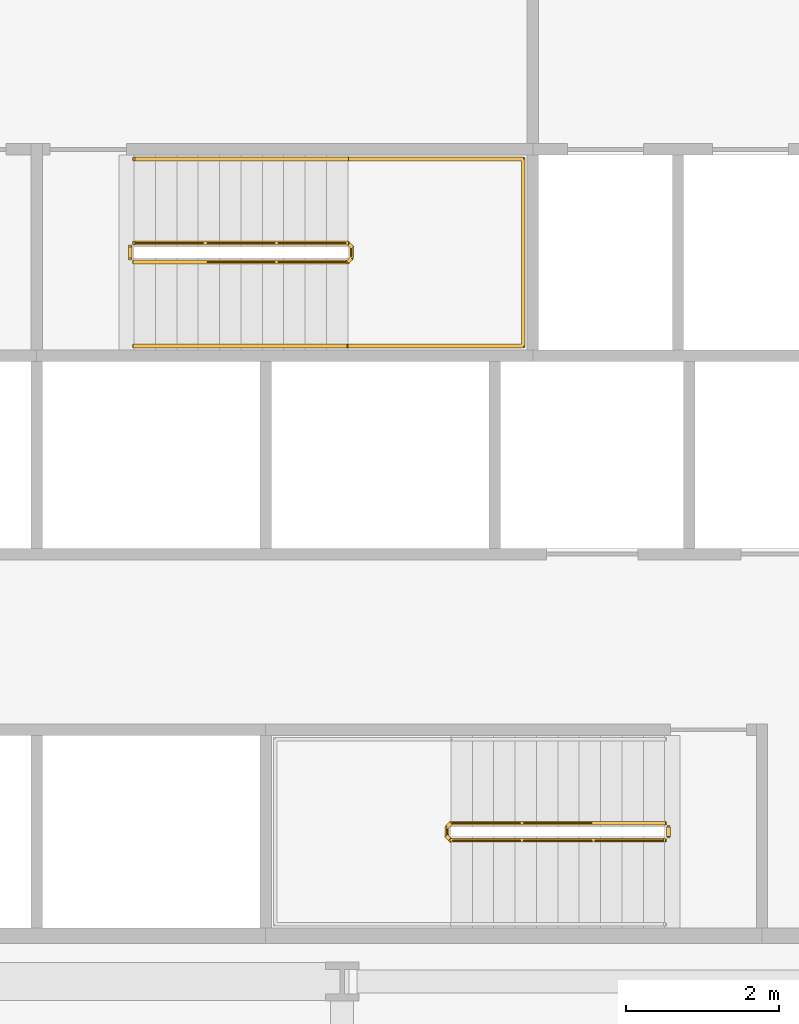
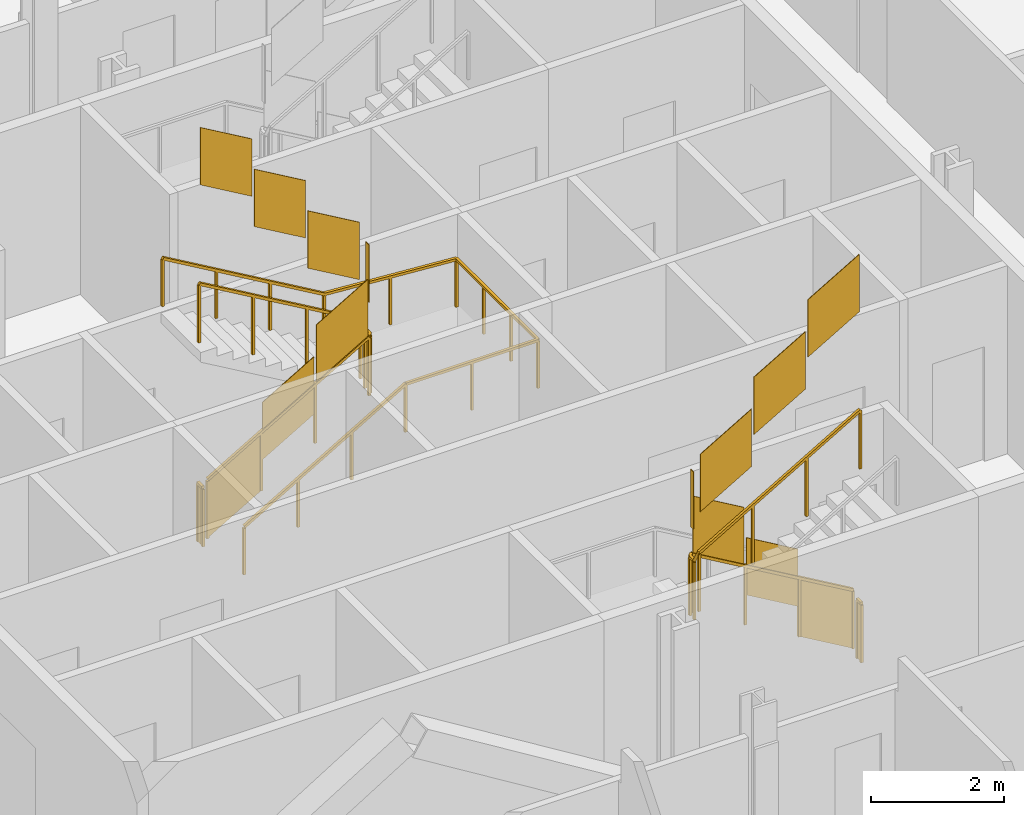
# One storey, part 16 of 19: 5 railings.
"""IFC4 building model written with IfcOpenShell, lengths in metres."""

from ifc_helpers import new_model, si_unit, direction, frame, origin, origin_2d, place, context, subcontext, project, spatial, polyline, rectangle, outline, extrude, material, type_object, element, save


model = new_model("IFC4")

# Units and contexts
model_context = context("Model", 3, precision=1e-05, world=origin(), true_north=direction((0.0, 1.0)))
body_context = subcontext(model_context, "Body", "Model", "MODEL_VIEW")
ifc_project = project(units=[si_unit("LENGTHUNIT", "METRE"), si_unit("AREAUNIT", "SQUARE_METRE"), si_unit("VOLUMEUNIT", "CUBIC_METRE"), si_unit("PLANEANGLEUNIT", "RADIAN"), si_unit("MASSUNIT", "GRAM", prefix="KILO")], contexts=[model_context])

# Site, building, storey
site_placement = place(None, origin())
site = spatial("IfcSite", under=ifc_project, at=site_placement, CompositionType="ELEMENT")
building_placement = place(site_placement, origin())
building = spatial("IfcBuilding", under=site, at=building_placement, Name="Cairn Pilgrim Tower", CompositionType="ELEMENT")
storey_placement = place(building_placement, frame((0.0, 0.0, 90.60009765625)))
storey = spatial("IfcBuildingStorey", under=building, at=storey_placement, Name="L21", CompositionType="ELEMENT", Elevation=90.60009765625)

# Railings
ifc_material = material(Name="Painted steel", Category="steel")
railing_type_1 = type_object("IfcRailingType", Name="STAIR GUARD 1100", PredefinedType="GUARDRAIL", material=ifc_material)
railing_1_placement = place(storey_placement, frame((11.425048828125, -3.925048828125, 0.16357421875)))
element("IfcRailing", 1, at=railing_1_placement, inside=storey, type_object=railing_type_1, Name="L21 ST-A stair guard 1", PredefinedType="GUARDRAIL", context=body_context, shape_type="SweptSolid", body=[
    extrude(rectangle(XDim=0.048095703125, YDim=0.048095703125, at=origin_2d()), frame((0.0, 0.0, 1.076171875), z_axis=(-0.863393664356, 0.0, 0.504530851732), x_axis=(0.0, -1.0, 0.0)), (0.0, 0.0, 1.0), 3.2431640625),
    extrude(rectangle(XDim=0.048095703125, YDim=0.048095703125, at=origin_2d()), frame((-2.800048828125, 0.0, 2.71240234375), z_axis=(-0.707106781187, -0.707106781187, 0.0), x_axis=(0.707106781187, -0.707106781187, 0.0)), (0.0, 0.0, 1.0), 0.07080078125),
    extrude(rectangle(XDim=0.048095703125, YDim=0.048095703125, at=origin_2d()), frame((-2.85009765625, -0.050048828125, 2.71240234375), z_axis=(0.0, -1.0, 0.0), x_axis=(1.0, 0.0, 0.0)), (0.0, 0.0, 1.0), 0.125),
    extrude(rectangle(XDim=0.048095703125, YDim=0.048095703125, at=origin_2d()), frame((-2.85009765625, -0.175048828125, 2.71240234375), z_axis=(0.280563532951, -0.279194930351, 0.91833234444), x_axis=(0.705375805398, 0.708833529934, 0.0)), (0.0, 0.0, 1.0), 0.178466796875),
    extrude(rectangle(XDim=0.048095703125, YDim=0.048095703125, at=origin_2d()), frame((-2.800048828125, -0.224853515625, 2.8759765625), z_axis=(0.863393664356, 0.0, 0.504530851732), x_axis=(0.0, 1.0, 0.0)), (0.0, 0.0, 1.0), 3.2431640625),
    extrude(rectangle(XDim=0.0419921875, YDim=0.0419921875, at=origin_2d()), origin(), (0.0, 0.0, 1.0), 1.052001953125),
    extrude(rectangle(XDim=0.0419921875, YDim=0.0419921875, at=origin_2d()), frame((-0.933349609375, 0.0, 0.54541015625)), (0.0, 0.0, 1.0), 1.052001953125),
    extrude(rectangle(XDim=0.0419921875, YDim=0.0419921875, at=origin_2d()), frame((-1.86669921875, 0.0, 1.0908203125)), (0.0, 0.0, 1.0), 1.052001953125),
    extrude(rectangle(XDim=0.0419921875, YDim=0.0419921875, at=origin_2d()), frame((-2.800048828125, 0.0, 1.63623046875)), (0.0, 0.0, 1.0), 1.052001953125),
    extrude(rectangle(XDim=0.0419921875, YDim=0.0419921875, at=origin_2d()), frame((-2.85009765625, -0.050048828125, 1.63623046875)), (0.0, 0.0, 1.0), 1.052001953125),
    extrude(rectangle(XDim=0.0419921875, YDim=0.0419921875, at=origin_2d()), frame((-2.85009765625, -0.175048828125, 1.63623046875)), (0.0, 0.0, 1.0), 1.052001953125),
    extrude(rectangle(XDim=0.0419921875, YDim=0.0419921875, at=origin_2d()), frame((-2.800048828125, -0.224853515625, 1.800048828125)), (0.0, 0.0, 1.0), 1.052001953125),
    extrude(rectangle(XDim=0.0419921875, YDim=0.0419921875, at=origin_2d()), frame((-1.86669921875, -0.224853515625, 2.345458984375)), (0.0, 0.0, 1.0), 1.052001953125),
    extrude(rectangle(XDim=0.0419921875, YDim=0.0419921875, at=origin_2d()), frame((-0.933349609375, -0.224853515625, 2.890869140625)), (0.0, 0.0, 1.0), 1.052001953125),
    extrude(rectangle(XDim=0.0419921875, YDim=0.0419921875, at=origin_2d()), frame((0.0, -0.224853515625, 3.436279296875)), (0.0, 0.0, 1.0), 1.052001953125),
    extrude(outline(polyline([(0.02099609375, 0.01220703125), (0.912353515625, 0.533203125), (0.912353515625, 1.585205078125), (0.02099609375, 1.064208984375), (0.02099609375, 0.01220703125)])), frame((0.0, -0.005859375, 0.0), z_axis=(0.0, 1.0, 0.0), x_axis=(-1.0, 0.0, 0.0)), (0.0, 0.0, 1.0), 0.011962890625),
    extrude(outline(polyline([(0.02099609375, 0.5576171875), (0.912353515625, 1.07861328125), (0.912353515625, 2.130615234375), (0.02099609375, 1.609619140625), (0.02099609375, 0.5576171875)])), frame((-0.933349609375, -0.005859375, 0.54541015625), z_axis=(0.0, 1.0, 0.0), x_axis=(-1.0, 0.0, 0.0)), (0.0, 0.0, 1.0), 0.011962890625),
    extrude(outline(polyline([(0.02099609375, 1.10302734375), (0.912353515625, 1.6240234375), (0.912353515625, 2.676025390625), (0.02099609375, 2.155029296875), (0.02099609375, 1.10302734375)])), frame((-1.86669921875, -0.005859375, 1.0908203125), z_axis=(0.0, 1.0, 0.0), x_axis=(-1.0, 0.0, 0.0)), (0.0, 0.0, 1.0), 0.011962890625),
    extrude(outline(polyline([(0.02099609375, 1.63623046875), (0.10400390625, 1.63623046875), (0.10400390625, 2.688232421875), (0.02099609375, 2.688232421875), (0.02099609375, 1.63623046875)])), frame((-2.84423828125, -0.050048828125, 1.63623046875), z_axis=(-1.0, 0.0, 0.0), x_axis=(0.0, -1.0, 0.0)), (0.0, 0.0, 1.0), 0.011962890625),
    extrude(outline(polyline([(0.02099609375, 1.812255859375), (0.912353515625, 2.333251953125), (0.912353515625, 3.38525390625), (0.02099609375, 2.8642578125), (0.02099609375, 1.812255859375)])), frame((-2.800048828125, -0.21875, 1.800048828125), z_axis=(0.0, -1.0, 0.0), x_axis=(1.0, 0.0, 0.0)), (0.0, 0.0, 1.0), 0.011962890625),
    extrude(outline(polyline([(0.02099609375, 2.357666015625), (0.912353515625, 2.878662109375), (0.912353515625, 3.9306640625), (0.02099609375, 3.40966796875), (0.02099609375, 2.357666015625)])), frame((-1.86669921875, -0.21875, 2.345458984375), z_axis=(0.0, -1.0, 0.0), x_axis=(1.0, 0.0, 0.0)), (0.0, 0.0, 1.0), 0.011962890625),
    extrude(outline(polyline([(0.02099609375, 2.903076171875), (0.912353515625, 3.424072265625), (0.912353515625, 4.47607421875), (0.02099609375, 3.955078125), (0.02099609375, 2.903076171875)])), frame((-0.933349609375, -0.21875, 2.890869140625), z_axis=(0.0, -1.0, 0.0), x_axis=(1.0, 0.0, 0.0)), (0.0, 0.0, 1.0), 0.011962890625),
])
railing_2_placement = place(storey_placement, frame((11.47509765625, -3.97509765625, 0.0)))
element("IfcRailing", 2, at=railing_2_placement, inside=storey, type_object=railing_type_1, Name="L21 ST-A stair guard 2", PredefinedType="GUARDRAIL", context=body_context, shape_type="SweptSolid", body=[
    extrude(rectangle(XDim=0.048095703125, YDim=0.048095703125, at=origin_2d()), frame((0.0, 0.0, 1.076171875), z_axis=(0.0, -1.0, 0.0), x_axis=(1.0, 0.0, 0.0)), (0.0, 0.0, 1.0), 0.125),
    extrude(rectangle(XDim=0.0419921875, YDim=0.0419921875, at=origin_2d()), origin(), (0.0, 0.0, 1.0), 1.052001953125),
    extrude(rectangle(XDim=0.0419921875, YDim=0.0419921875, at=origin_2d()), frame((0.0, -0.125, 0.0)), (0.0, 0.0, 1.0), 1.052001953125),
    extrude(outline(polyline([(0.02099609375, 0.0), (0.10400390625, 0.0), (0.10400390625, 1.052001953125), (0.02099609375, 1.052001953125), (0.02099609375, 0.0)])), frame((0.005859375, 0.0, 0.0), z_axis=(-1.0, 0.0, 0.0), x_axis=(0.0, -1.0, 0.0)), (0.0, 0.0, 1.0), 0.011962890625),
])
railing_3_placement = place(storey_placement, frame((4.47509765625, 3.425048828125, 0.16357421875)))
element("IfcRailing", 3, at=railing_3_placement, inside=storey, type_object=railing_type_1, Name="L21 ST-B stair guard 1", PredefinedType="GUARDRAIL", context=body_context, shape_type="SweptSolid", body=[
    extrude(rectangle(XDim=0.048095703125, YDim=0.048095703125, at=origin_2d()), frame((0.0, 0.0, 1.076171875), z_axis=(0.863374499697, 0.0, 0.504563646405), x_axis=(0.0, 1.0, 0.0)), (0.0, 0.0, 1.0), 3.242919921875),
    extrude(rectangle(XDim=0.048095703125, YDim=0.048095703125, at=origin_2d()), frame((2.7998046875, 0.0, 2.71240234375), z_axis=(0.707106781187, 0.707106781187, 0.0), x_axis=(-0.707106781187, 0.707106781187, 0.0)), (0.0, 0.0, 1.0), 0.07080078125),
    extrude(rectangle(XDim=0.048095703125, YDim=0.048095703125, at=origin_2d()), frame((2.849853515625, 0.050048828125, 2.71240234375), z_axis=(0.0, 1.0, 0.0), x_axis=(-1.0, 0.0, 0.0)), (0.0, 0.0, 1.0), 0.14990234375),
    extrude(rectangle(XDim=0.048095703125, YDim=0.048095703125, at=origin_2d()), frame((2.849853515625, 0.199951171875, 2.71240234375), z_axis=(-0.280456126637, 0.280456126637, 0.917980785237), x_axis=(-0.707106781187, -0.707106781187, 0.0)), (0.0, 0.0, 1.0), 0.178466796875),
    extrude(rectangle(XDim=0.048095703125, YDim=0.048095703125, at=origin_2d()), frame((2.7998046875, 0.25, 2.8759765625), z_axis=(-0.863374499697, 0.0, 0.504563646405), x_axis=(0.0, -1.0, 0.0)), (0.0, 0.0, 1.0), 3.242919921875),
    extrude(rectangle(XDim=0.0419921875, YDim=0.0419921875, at=origin_2d()), origin(), (0.0, 0.0, 1.0), 1.052001953125),
    extrude(rectangle(XDim=0.0419921875, YDim=0.0419921875, at=origin_2d()), frame((0.933349609375, 0.0, 0.54541015625)), (0.0, 0.0, 1.0), 1.052001953125),
    extrude(rectangle(XDim=0.0419921875, YDim=0.0419921875, at=origin_2d()), frame((1.866455078125, 0.0, 1.0908203125)), (0.0, 0.0, 1.0), 1.052001953125),
    extrude(rectangle(XDim=0.0419921875, YDim=0.0419921875, at=origin_2d()), frame((2.7998046875, 0.0, 1.63623046875)), (0.0, 0.0, 1.0), 1.052001953125),
    extrude(rectangle(XDim=0.0419921875, YDim=0.0419921875, at=origin_2d()), frame((2.849853515625, 0.050048828125, 1.63623046875)), (0.0, 0.0, 1.0), 1.052001953125),
    extrude(rectangle(XDim=0.0419921875, YDim=0.0419921875, at=origin_2d()), frame((2.849853515625, 0.199951171875, 1.63623046875)), (0.0, 0.0, 1.0), 1.052001953125),
    extrude(rectangle(XDim=0.0419921875, YDim=0.0419921875, at=origin_2d()), frame((2.7998046875, 0.25, 1.800048828125)), (0.0, 0.0, 1.0), 1.052001953125),
    extrude(rectangle(XDim=0.0419921875, YDim=0.0419921875, at=origin_2d()), frame((1.866455078125, 0.25, 2.345458984375)), (0.0, 0.0, 1.0), 1.052001953125),
    extrude(rectangle(XDim=0.0419921875, YDim=0.0419921875, at=origin_2d()), frame((0.933349609375, 0.25, 2.890869140625)), (0.0, 0.0, 1.0), 1.052001953125),
    extrude(rectangle(XDim=0.0419921875, YDim=0.0419921875, at=origin_2d()), frame((0.0, 0.25, 3.436279296875)), (0.0, 0.0, 1.0), 1.052001953125),
    extrude(outline(polyline([(0.02099609375, 0.01220703125), (0.912353515625, 0.533203125), (0.912353515625, 1.585205078125), (0.02099609375, 1.064208984375), (0.02099609375, 0.01220703125)])), frame((0.0, 0.005859375, 0.0), z_axis=(0.0, -1.0, 0.0), x_axis=(1.0, 0.0, 0.0)), (0.0, 0.0, 1.0), 0.011962890625),
    extrude(outline(polyline([(0.02099609375, 0.5576171875), (0.912353515625, 1.07861328125), (0.912353515625, 2.130615234375), (0.02099609375, 1.609619140625), (0.02099609375, 0.5576171875)])), frame((0.933349609375, 0.005859375, 0.54541015625), z_axis=(0.0, -1.0, 0.0), x_axis=(1.0, 0.0, 0.0)), (0.0, 0.0, 1.0), 0.011962890625),
    extrude(outline(polyline([(0.02099609375, 1.10302734375), (0.912353515625, 1.6240234375), (0.912353515625, 2.676025390625), (0.02099609375, 2.155029296875), (0.02099609375, 1.10302734375)])), frame((1.866455078125, 0.005859375, 1.0908203125), z_axis=(0.0, -1.0, 0.0), x_axis=(1.0, 0.0, 0.0)), (0.0, 0.0, 1.0), 0.011962890625),
    extrude(outline(polyline([(0.02099609375, 1.63623046875), (0.12890625, 1.63623046875), (0.12890625, 2.688232421875), (0.02099609375, 2.688232421875), (0.02099609375, 1.63623046875)])), frame((2.84375, 0.050048828125, 1.63623046875), z_axis=(1.0, 0.0, 0.0), x_axis=(0.0, 1.0, 0.0)), (0.0, 0.0, 1.0), 0.011962890625),
    extrude(outline(polyline([(0.02099609375, 1.812255859375), (0.912353515625, 2.333251953125), (0.912353515625, 3.38525390625), (0.02099609375, 2.8642578125), (0.02099609375, 1.812255859375)])), frame((2.7998046875, 0.244140625, 1.800048828125), z_axis=(0.0, 1.0, 0.0), x_axis=(-1.0, 0.0, 0.0)), (0.0, 0.0, 1.0), 0.011962890625),
    extrude(outline(polyline([(0.02099609375, 2.357666015625), (0.912353515625, 2.878662109375), (0.912353515625, 3.9306640625), (0.02099609375, 3.40966796875), (0.02099609375, 2.357666015625)])), frame((1.866455078125, 0.244140625, 2.345458984375), z_axis=(0.0, 1.0, 0.0), x_axis=(-1.0, 0.0, 0.0)), (0.0, 0.0, 1.0), 0.011962890625),
    extrude(outline(polyline([(0.02099609375, 2.903076171875), (0.912353515625, 3.424072265625), (0.912353515625, 4.47607421875), (0.02099609375, 3.955078125), (0.02099609375, 2.903076171875)])), frame((0.933349609375, 0.244140625, 2.890869140625), z_axis=(0.0, 1.0, 0.0), x_axis=(-1.0, 0.0, 0.0)), (0.0, 0.0, 1.0), 0.011962890625),
])
railing_4_placement = place(storey_placement, frame((4.425048828125, 3.47509765625, 0.0)))
element("IfcRailing", 4, at=railing_4_placement, inside=storey, type_object=railing_type_1, Name="L21 ST-B stair guard 2", PredefinedType="GUARDRAIL", context=body_context, shape_type="SweptSolid", body=[
    extrude(rectangle(XDim=0.048095703125, YDim=0.048095703125, at=origin_2d()), frame((0.0, 0.0, 1.076171875), z_axis=(0.0, 1.0, 0.0), x_axis=(-1.0, 0.0, 0.0)), (0.0, 0.0, 1.0), 0.14990234375),
    extrude(rectangle(XDim=0.0419921875, YDim=0.0419921875, at=origin_2d()), origin(), (0.0, 0.0, 1.0), 1.052001953125),
    extrude(rectangle(XDim=0.0419921875, YDim=0.0419921875, at=origin_2d()), frame((0.0, 0.14990234375, 0.0)), (0.0, 0.0, 1.0), 1.052001953125),
    extrude(outline(polyline([(0.02099609375, 0.0), (0.12890625, 0.0), (0.12890625, 1.052001953125), (0.02099609375, 1.052001953125), (0.02099609375, 0.0)])), frame((-0.005859375, 0.0, 0.0), z_axis=(1.0, 0.0, 0.0), x_axis=(0.0, 1.0, 0.0)), (0.0, 0.0, 1.0), 0.011962890625),
])
railing_type_2 = type_object("IfcRailingType", Name="STAIR HANDRAIL 900", PredefinedType="HANDRAIL", material=ifc_material)
railing_5_placement = place(storey_placement, frame((4.47509765625, 2.324951171875, 0.16357421875)))
element("IfcRailing", 5, at=railing_5_placement, inside=storey, type_object=railing_type_2, Name="L21 ST-B stair handrail 1", PredefinedType="HANDRAIL", context=body_context, shape_type="SweptSolid", body=[
    extrude(rectangle(XDim=0.048095703125, YDim=0.048095703125, at=origin_2d()), frame((0.0, 0.0, 0.8759765625), z_axis=(0.863374499697, 0.0, 0.504563646405), x_axis=(0.0, 1.0, 0.0)), (0.0, 0.0, 1.0), 3.242919921875),
    extrude(rectangle(XDim=0.048095703125, YDim=0.048095703125, at=origin_2d()), frame((2.7998046875, 0.0, 2.51220703125), z_axis=(1.0, 0.0, 0.0), x_axis=(0.0, 1.0, 0.0)), (0.0, 0.0, 1.0), 2.300048828125),
    extrude(rectangle(XDim=0.048095703125, YDim=0.048095703125, at=origin_2d()), frame((5.099853515625, 0.0, 2.51220703125), z_axis=(0.0, 1.0, 0.0), x_axis=(-1.0, 0.0, 0.0)), (0.0, 0.0, 1.0), 2.449951171875),
    extrude(rectangle(XDim=0.048095703125, YDim=0.048095703125, at=origin_2d()), frame((5.099853515625, 2.449951171875, 2.51220703125), z_axis=(-0.99747319029, 0.0, 0.071043892441), x_axis=(0.0, -1.0, 0.0)), (0.0, 0.0, 1.0), 2.305908203125),
    extrude(rectangle(XDim=0.048095703125, YDim=0.048095703125, at=origin_2d()), frame((2.7998046875, 2.449951171875, 2.67578125), z_axis=(-0.863374499697, 0.0, 0.504563646405), x_axis=(0.0, -1.0, 0.0)), (0.0, 0.0, 1.0), 3.242919921875),
    extrude(rectangle(XDim=0.0419921875, YDim=0.0419921875, at=origin_2d()), origin(), (0.0, 0.0, 1.0), 0.851806640625),
    extrude(rectangle(XDim=0.0419921875, YDim=0.0419921875, at=origin_2d()), frame((0.933349609375, 0.0, 0.54541015625)), (0.0, 0.0, 1.0), 0.851806640625),
    extrude(rectangle(XDim=0.0419921875, YDim=0.0419921875, at=origin_2d()), frame((1.866455078125, 0.0, 1.0908203125)), (0.0, 0.0, 1.0), 0.851806640625),
    extrude(rectangle(XDim=0.0419921875, YDim=0.0419921875, at=origin_2d()), frame((2.7998046875, 0.0, 1.63623046875)), (0.0, 0.0, 1.0), 0.851806640625),
    extrude(rectangle(XDim=0.0419921875, YDim=0.0419921875, at=origin_2d()), frame((3.94970703125, 0.0, 1.63623046875)), (0.0, 0.0, 1.0), 0.851806640625),
    extrude(rectangle(XDim=0.0419921875, YDim=0.0419921875, at=origin_2d()), frame((5.099853515625, 0.0, 1.63623046875)), (0.0, 0.0, 1.0), 0.851806640625),
    extrude(rectangle(XDim=0.0419921875, YDim=0.0419921875, at=origin_2d()), frame((5.099853515625, 0.816650390625, 1.63623046875)), (0.0, 0.0, 1.0), 0.851806640625),
    extrude(rectangle(XDim=0.0419921875, YDim=0.0419921875, at=origin_2d()), frame((5.099853515625, 1.63330078125, 1.63623046875)), (0.0, 0.0, 1.0), 0.851806640625),
    extrude(rectangle(XDim=0.0419921875, YDim=0.0419921875, at=origin_2d()), frame((5.099853515625, 2.449951171875, 1.63623046875)), (0.0, 0.0, 1.0), 0.851806640625),
    extrude(rectangle(XDim=0.0419921875, YDim=0.0419921875, at=origin_2d()), frame((3.94970703125, 2.449951171875, 1.71826171875)), (0.0, 0.0, 1.0), 0.851806640625),
    extrude(rectangle(XDim=0.0419921875, YDim=0.0419921875, at=origin_2d()), frame((2.7998046875, 2.449951171875, 1.800048828125)), (0.0, 0.0, 1.0), 0.851806640625),
    extrude(rectangle(XDim=0.0419921875, YDim=0.0419921875, at=origin_2d()), frame((1.866455078125, 2.449951171875, 2.345458984375)), (0.0, 0.0, 1.0), 0.851806640625),
    extrude(rectangle(XDim=0.0419921875, YDim=0.0419921875, at=origin_2d()), frame((0.933349609375, 2.449951171875, 2.890869140625)), (0.0, 0.0, 1.0), 0.851806640625),
    extrude(rectangle(XDim=0.0419921875, YDim=0.0419921875, at=origin_2d()), frame((0.0, 2.449951171875, 3.436279296875)), (0.0, 0.0, 1.0), 0.851806640625),
])

save(model, "model.ifc")
